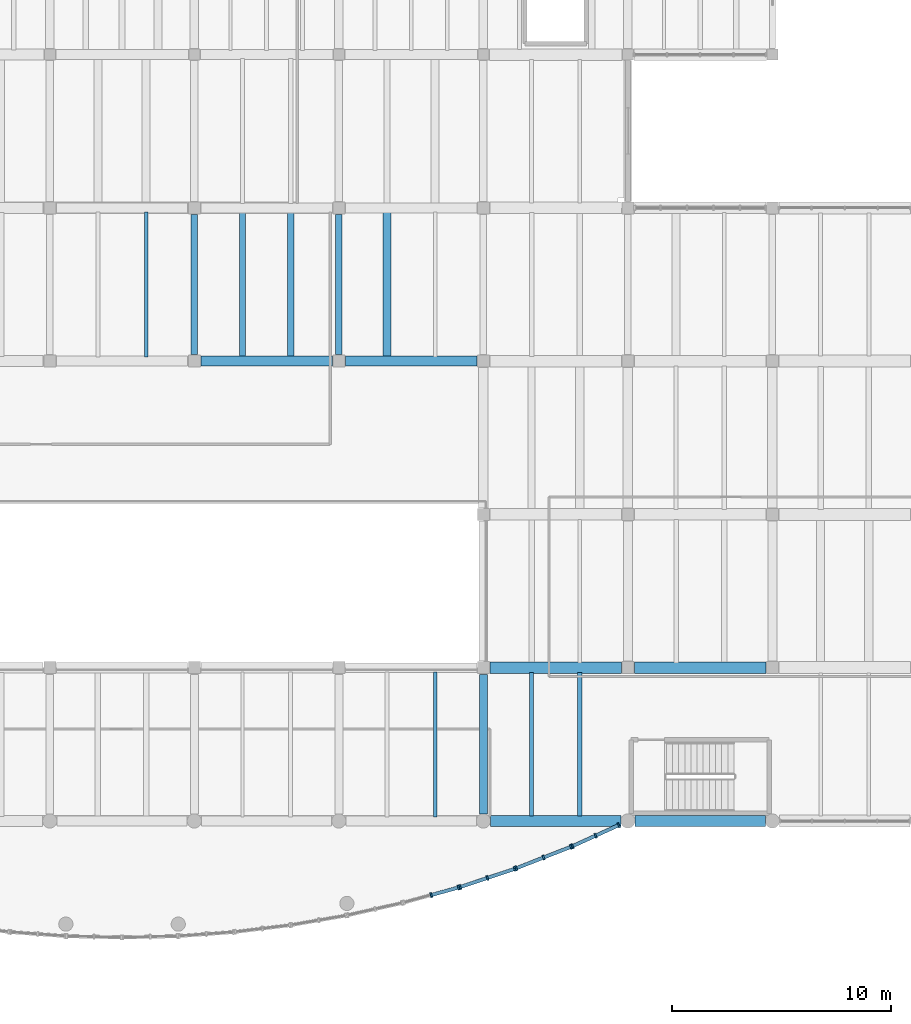
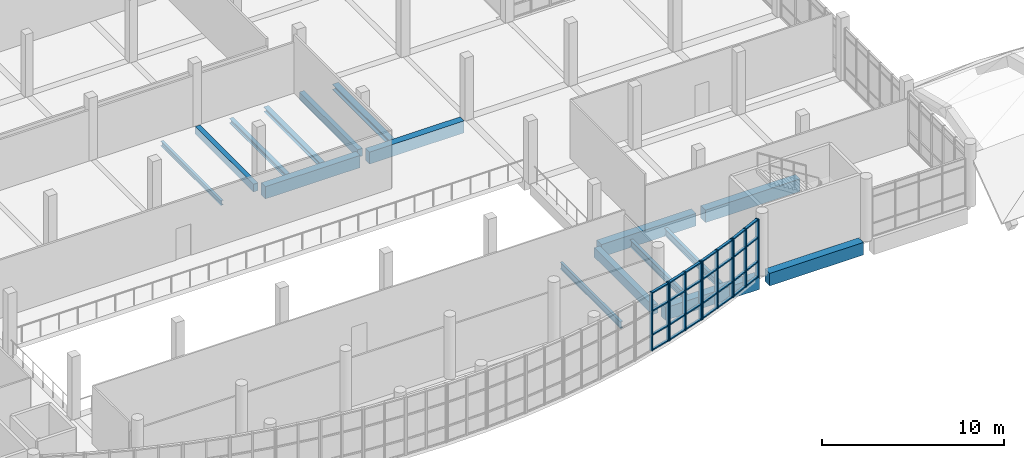
# One storey, part 12 of 65: 39 members, 16 beams, 4 elements without a shape of their own.
"""IFC4 building model written with IfcOpenShell, lengths in metres."""

import ifcopenshell
import ifcopenshell.guid

model = None  # the IFC model being written
_history = None  # IfcOwnerHistory: only IFC2X3 demands one
_inside = {}  # id of a spatial element -> (the spatial element, [elements in it])
_under = {}  # id of a project, library or spatial element -> (it, [spatial elements below it])
_declared = {}  # id of a project -> (the project, [libraries it declares])
_typed = {}  # id of a type object -> (the type object, [elements of that type])
_made_of = {}  # id of a material, layer set ... -> (it, [elements and type objects made of it])


def new_model(schema):
    """Start an empty IFC model of exactly this schema.

    Asked for "IFC4X3", IfcOpenShell would pick the latest addendum, in which some entities
    have other attributes; the version numbers below select the first issue.
    IFC2X3 requires an IfcOwnerHistory on every rooted entity: one is made here for all.
    """
    global model, _history
    if schema == "IFC4X3":
        model = ifcopenshell.file(schema_version=(4, 3, 0, 0))
    else:
        model = ifcopenshell.file(schema=schema)
    _inside.clear()
    _under.clear()
    _declared.clear()
    _typed.clear()
    _made_of.clear()
    _history = None
    if model.schema == "IFC2X3":
        org = make("IfcOrganization", Name="unknown")
        user = make(
            "IfcPersonAndOrganization",
            ThePerson=make("IfcPerson", FamilyName="unknown"),
            TheOrganization=org,
        )
        app = make(
            "IfcApplication",
            ApplicationDeveloper=org,
            Version="unknown",
            ApplicationFullName="unknown",
            ApplicationIdentifier="unknown",
        )
        _history = make(
            "IfcOwnerHistory",
            OwningUser=user,
            OwningApplication=app,
            ChangeAction="ADDED",
            CreationDate=0,
        )
    return model


def make(cls, **values):
    """One entity of the class cls with the attributes given. An attribute that is None is left unset."""
    return model.create_entity(
        cls, **{name: value for name, value in values.items() if value is not None}
    )


def rooted(cls, **values):
    """An entity with a GlobalId (a new one), such as an element, a storey or a relation."""
    return make(cls, GlobalId=ifcopenshell.guid.new(), OwnerHistory=_history, **values)


def si_unit(unit_type, name, prefix=None):
    """IfcSIUnit, for example si_unit("LENGTHUNIT", "METRE", prefix="MILLI")."""
    return make("IfcSIUnit", UnitType=unit_type, Prefix=prefix, Name=name)


def assignment(units):
    """IfcUnitAssignment: the units of a project."""
    return None if units is None else make("IfcUnitAssignment", Units=units)


def point(xyz):
    """IfcCartesianPoint."""
    return None if xyz is None else make("IfcCartesianPoint", Coordinates=xyz)


def direction(xyz):
    """IfcDirection."""
    return None if xyz is None else make("IfcDirection", DirectionRatios=xyz)


def frame(location, z_axis=None, x_axis=None):
    """IfcAxis2Placement3D, a coordinate frame: its origin and axes. An axis left out is left unset."""
    return make(
        "IfcAxis2Placement3D",
        Location=point(location),
        Axis=direction(z_axis),
        RefDirection=direction(x_axis),
    )


def frame_2d(location, x_axis=None):
    """IfcAxis2Placement2D, a coordinate frame in the plane: its origin and x axis."""
    return make(
        "IfcAxis2Placement2D", Location=point(location), RefDirection=direction(x_axis)
    )


def origin():
    """The frame at (0, 0, 0) with its axes left unset."""
    return frame((0.0, 0.0, 0.0))


def origin_2d():
    """The frame at (0, 0) in the plane with its x axis left unset."""
    return frame_2d((0.0, 0.0))


def place(relative_to, where):
    """IfcLocalPlacement: puts the frame where relative to a parent placement (None: the world)."""
    return make(
        "IfcLocalPlacement", PlacementRelTo=relative_to, RelativePlacement=where
    )


def context(
    kind, dimensions, precision=None, world=None, true_north=None, identifier=None
):
    """IfcGeometricRepresentationContext, for example the 3D "Model" context."""
    return make(
        "IfcGeometricRepresentationContext",
        ContextIdentifier=identifier,
        ContextType=kind,
        CoordinateSpaceDimension=dimensions,
        Precision=precision,
        WorldCoordinateSystem=world,
        TrueNorth=true_north,
    )


def subcontext(parent, identifier, kind, view, scale=None):
    """IfcGeometricRepresentationSubContext, for example "Body" below "Model"."""
    return make(
        "IfcGeometricRepresentationSubContext",
        ContextIdentifier=identifier,
        ContextType=kind,
        ParentContext=parent,
        TargetScale=scale,
        TargetView=view,
    )


def project(units=None, contexts=None):
    """IfcProject with its units and contexts."""
    return rooted(
        "IfcProject",
        Name="project",
        RepresentationContexts=contexts,
        UnitsInContext=assignment(units),
    )


def spatial(cls, under=None, at=None, **own):
    """A site, building, storey or space (cls), placed at a placement, below another one or the project."""
    s = rooted(cls, ObjectPlacement=at, **own)
    if under is not None:
        _under.setdefault(under.id(), (under, []))[1].append(s)
    return s


def profile(cls, at=None, kind="AREA", **sizes):
    """A parametric profile (cls). Its sizes go by their IFC names, for example OverallWidth=200.0."""
    return make(cls, ProfileType=kind, Position=at, **sizes)


def rectangle(**sizes):
    """IfcRectangleProfileDef."""
    return profile("IfcRectangleProfileDef", **sizes)


def i_section(**sizes):
    """IfcIShapeProfileDef."""
    return profile("IfcIShapeProfileDef", **sizes)


def extrude(swept, where, along, depth):
    """IfcExtrudedAreaSolid: the profile swept, set in the frame where, extruded along a direction by depth."""
    return make(
        "IfcExtrudedAreaSolid",
        SweptArea=swept,
        Position=where,
        ExtrudedDirection=direction(along),
        Depth=depth,
    )


def shape(context_of_items, identifier, shape_type, items):
    """IfcShapeRepresentation: the items that make up one representation, for example the "Body"."""
    return make(
        "IfcShapeRepresentation",
        ContextOfItems=context_of_items,
        RepresentationIdentifier=identifier,
        RepresentationType=shape_type,
        Items=items,
    )


def material(Name=None, Category=None):
    """IfcMaterial."""
    return make("IfcMaterial", Name=Name, Category=Category)


def material_profile(
    of_material, cross_section, Name=None, Category=None, Priority=None
):
    """IfcMaterialProfile: a cross section and its material."""
    return make(
        "IfcMaterialProfile",
        Name=Name,
        Material=of_material,
        Profile=cross_section,
        Priority=Priority,
        Category=Category,
    )


def profile_set(profiles, Name=None, composite=None):
    """IfcMaterialProfileSet."""
    return make(
        "IfcMaterialProfileSet",
        Name=Name,
        MaterialProfiles=profiles,
        CompositeProfile=composite,
    )


def made_of(thing, what):
    """Note that an element or type object is made of a material, layer set ...; save() writes the relation."""
    if what is not None:
        _made_of.setdefault(what.id(), (what, []))[1].append(thing)
    return thing


def type_object(cls, material=None, **own):
    """A type object (cls), such as IfcWallType, which elements share."""
    return made_of(rooted(cls, **own), material)


def element(
    cls,
    number,
    at=None,
    inside=None,
    cuts=None,
    type_object=None,
    material=None,
    context=None,
    identifier="Body",
    shape_type=None,
    held_by="IfcProductDefinitionShape",
    body=None,
    shapes=None,
    **own,
):
    """One element of the class cls, such as IfcWall. Its Tag is "e" and its number.

    at: its placement. inside: the storey or other place that contains it. cuts: it is an
    opening in that element (IfcRelVoidsElement). A single representation is given by context,
    identifier, shape_type and body (its items); several are given by shapes. held_by: the class
    of the entity that holds the representations. save() writes the other relations.
    """
    e = rooted(cls, Tag="e%d" % number, ObjectPlacement=at, **own)
    if body is not None:
        shapes = [shape(context, identifier, shape_type, body)]
    if shapes is not None:
        e.Representation = make(held_by, Representations=shapes)
    if inside is not None:
        _inside.setdefault(inside.id(), (inside, []))[1].append(e)
    if cuts is not None:
        rooted(
            "IfcRelVoidsElement", RelatingBuildingElement=cuts, RelatedOpeningElement=e
        )
    if type_object is not None:
        _typed.setdefault(type_object.id(), (type_object, []))[1].append(e)
    return made_of(e, material)


def aggregate(whole, parts):
    """IfcRelAggregates: a whole, such as a stair, and the parts it consists of."""
    return rooted("IfcRelAggregates", RelatingObject=whole, RelatedObjects=parts)


def save(model, path):
    """Write the relations noted so far, then the file.

    IfcRelAggregates (storeys below a building ...), IfcRelContainedInSpatialStructure (elements
    in a storey), IfcRelDefinesByType, IfcRelAssociatesMaterial and IfcRelDeclares: one each for
    every whole, place, type object, material and project.
    """
    for whole, parts in _under.values():
        aggregate(whole, parts)
    for where, things in _inside.values():
        rooted(
            "IfcRelContainedInSpatialStructure",
            RelatedElements=things,
            RelatingStructure=where,
        )
    for kind, things in _typed.values():
        rooted("IfcRelDefinesByType", RelatedObjects=things, RelatingType=kind)
    for what, things in _made_of.values():
        rooted("IfcRelAssociatesMaterial", RelatedObjects=things, RelatingMaterial=what)
    for by, libraries in _declared.values():
        rooted("IfcRelDeclares", RelatingContext=by, RelatedDefinitions=libraries)
    model.write(path)


model = new_model("IFC4")

# Units and contexts
model_context = context("Model", 3, precision=1e-05, world=origin(), true_north=direction((0.0, 1.0)))
body_context = subcontext(model_context, "Body", "Model", "MODEL_VIEW")
ifc_project = project(units=[si_unit("LENGTHUNIT", "METRE"), si_unit("AREAUNIT", "SQUARE_METRE"), si_unit("VOLUMEUNIT", "CUBIC_METRE"), si_unit("PLANEANGLEUNIT", "RADIAN"), si_unit("MASSUNIT", "GRAM", prefix="KILO")], contexts=[model_context])

# Site, building, storey
site_placement = place(None, origin())
site = spatial("IfcSite", under=ifc_project, at=site_placement, CompositionType="ELEMENT")
building_placement = place(site_placement, origin())
building = spatial("IfcBuilding", under=site, at=building_placement, Name="Ciguamira Faculty of Natural Sciences", CompositionType="ELEMENT")
storey_placement = place(building_placement, frame((0.0, 0.0, 12.60009765625)))
storey = spatial("IfcBuildingStorey", under=building, at=storey_placement, Name="L03", CompositionType="ELEMENT", Elevation=12.60009765625)

# Curtain wall, members
ifc_material_1 = material(Name="Anodized aluminium curtain wall", Category="aluminium")
curtain_wall_type_1 = type_object("IfcCurtainWallType", Name="CurtainWall_CW-02", PredefinedType="USERDEFINED", material=ifc_material_1)
curtain_wall_1_placement = place(storey_placement, origin())
curtain_wall_1 = element("IfcCurtainWall", 1, at=curtain_wall_1_placement, inside=storey, type_object=curtain_wall_type_1, Name="L03 south gallery curved curtain wall 15", ObjectType="UNITISED CURTAIN WALL", PredefinedType="USERDEFINED")
ifc_material_2 = material(Name="Anodized aluminium mullion", Category="aluminium")
ifc_material_profile_1 = material_profile(ifc_material_2, rectangle(XDim=0.080078125, YDim=0.219970703125, at=origin_2d()), Name="ALU-MUL-80X220")
ifc_profile_set_1 = profile_set([ifc_material_profile_1], Name="Anodized aluminium mullion")
member_type_1 = type_object("IfcMemberType", Name="CWMullion_CWM-03", PredefinedType="MULLION", material=ifc_profile_set_1)
member_1_placement = place(storey_placement, frame((101.11669921875, 6.618408203125, 0.0), z_axis=(0.0, 0.0, 1.0), x_axis=(0.963573286652, 0.267444426472, 0.0)))
member_1 = element("IfcMember", 2, at=member_1_placement, type_object=member_type_1, Name="CW-02 mullion 2", PredefinedType="MULLION", context=body_context, shape_type="SweptSolid", body=[
    extrude(rectangle(XDim=0.080078125, YDim=0.219970703125, at=origin_2d()), origin(), (0.0, 0.0, 1.0), 3.89990234375),
])
member_2_placement = place(storey_placement, frame((102.361572265625, 6.9638671875, 0.0), z_axis=(0.0, 0.0, 1.0), x_axis=(0.963573286652, 0.267444426472, 0.0)))
member_2 = element("IfcMember", 3, at=member_2_placement, type_object=member_type_1, Name="CW-02 mullion 3", PredefinedType="MULLION", context=body_context, shape_type="SweptSolid", body=[
    extrude(rectangle(XDim=0.080078125, YDim=0.219970703125, at=origin_2d()), origin(), (0.0, 0.0, 1.0), 3.89990234375),
])

curtain_wall_type_2 = type_object("IfcCurtainWallType", Name="CurtainWall_CW-03", PredefinedType="USERDEFINED", material=ifc_material_1)
curtain_wall_2_placement = place(storey_placement, origin())
curtain_wall_2 = element("IfcCurtainWall", 4, at=curtain_wall_2_placement, inside=storey, type_object=curtain_wall_type_2, Name="L03 south gallery curved curtain wall 16", ObjectType="UNITISED CURTAIN WALL", PredefinedType="USERDEFINED")
member_3_placement = place(storey_placement, frame((102.43798828125, 6.987060546875, 0.0), z_axis=(0.0, 0.0, 1.0), x_axis=(0.948735033862, 0.316072516242, 0.0)))
member_3 = element("IfcMember", 5, at=member_3_placement, type_object=member_type_1, Name="CW-03 mullion 1", PredefinedType="MULLION", context=body_context, shape_type="SweptSolid", body=[
    extrude(rectangle(XDim=0.080078125, YDim=0.219970703125, at=origin_2d()), origin(), (0.0, 0.0, 1.0), 3.89990234375),
])
member_4_placement = place(storey_placement, frame((103.683349609375, 7.402099609375, 0.0), z_axis=(0.0, 0.0, 1.0), x_axis=(0.948735033862, 0.316072516242, 0.0)))
member_4 = element("IfcMember", 6, at=member_4_placement, type_object=member_type_1, Name="CW-03 mullion 2", PredefinedType="MULLION", context=body_context, shape_type="SweptSolid", body=[
    extrude(rectangle(XDim=0.080078125, YDim=0.219970703125, at=origin_2d()), origin(), (0.0, 0.0, 1.0), 3.89990234375),
])
member_5_placement = place(storey_placement, frame((104.9287109375, 7.81689453125, 0.0), z_axis=(0.0, 0.0, 1.0), x_axis=(0.948735033862, 0.316072516242, 0.0)))
member_5 = element("IfcMember", 7, at=member_5_placement, type_object=member_type_1, Name="CW-03 mullion 3", PredefinedType="MULLION", context=body_context, shape_type="SweptSolid", body=[
    extrude(rectangle(XDim=0.080078125, YDim=0.219970703125, at=origin_2d()), origin(), (0.0, 0.0, 1.0), 3.89990234375),
])

curtain_wall_type_3 = type_object("IfcCurtainWallType", Name="CurtainWall_CW-04", PredefinedType="USERDEFINED", material=ifc_material_1)
curtain_wall_3_placement = place(storey_placement, origin())
curtain_wall_3 = element("IfcCurtainWall", 8, at=curtain_wall_3_placement, inside=storey, type_object=curtain_wall_type_3, Name="L03 south gallery curved curtain wall 17", ObjectType="UNITISED CURTAIN WALL", PredefinedType="USERDEFINED")
member_6_placement = place(storey_placement, frame((105.00390625, 7.84423828125, 0.0), z_axis=(0.0, 0.0, 1.0), x_axis=(0.931122296337, 0.36470710065, 0.0)))
member_6 = element("IfcMember", 9, at=member_6_placement, type_object=member_type_1, Name="CW-04 mullion 1", PredefinedType="MULLION", context=body_context, shape_type="SweptSolid", body=[
    extrude(rectangle(XDim=0.080078125, YDim=0.219970703125, at=origin_2d()), origin(), (0.0, 0.0, 1.0), 3.89990234375),
])
member_7_placement = place(storey_placement, frame((106.25, 8.332275390625, 0.0), z_axis=(0.0, 0.0, 1.0), x_axis=(0.931122296337, 0.36470710065, 0.0)))
member_7 = element("IfcMember", 10, at=member_7_placement, type_object=member_type_1, Name="CW-04 mullion 2", PredefinedType="MULLION", context=body_context, shape_type="SweptSolid", body=[
    extrude(rectangle(XDim=0.080078125, YDim=0.219970703125, at=origin_2d()), origin(), (0.0, 0.0, 1.0), 3.89990234375),
])
member_8_placement = place(storey_placement, frame((107.49609375, 8.8203125, 0.0), z_axis=(0.0, 0.0, 1.0), x_axis=(0.931122296337, 0.36470710065, 0.0)))
member_8 = element("IfcMember", 11, at=member_8_placement, type_object=member_type_1, Name="CW-04 mullion 3", PredefinedType="MULLION", context=body_context, shape_type="SweptSolid", body=[
    extrude(rectangle(XDim=0.080078125, YDim=0.219970703125, at=origin_2d()), origin(), (0.0, 0.0, 1.0), 3.89990234375),
])

curtain_wall_type_4 = type_object("IfcCurtainWallType", Name="CurtainWall_CW-05", PredefinedType="USERDEFINED", material=ifc_material_1)
curtain_wall_4_placement = place(storey_placement, origin())
curtain_wall_4 = element("IfcCurtainWall", 12, at=curtain_wall_4_placement, inside=storey, type_object=curtain_wall_type_4, Name="L03 south gallery curved curtain wall 18", ObjectType="UNITISED CURTAIN WALL", PredefinedType="USERDEFINED")
member_9_placement = place(storey_placement, frame((107.56982421875, 8.851318359375, 0.0), z_axis=(0.0, 0.0, 1.0), x_axis=(0.910580503774, 0.41333176281, 0.0)))
member_9 = element("IfcMember", 13, at=member_9_placement, type_object=member_type_1, Name="CW-05 mullion 1", PredefinedType="MULLION", context=body_context, shape_type="SweptSolid", body=[
    extrude(rectangle(XDim=0.080078125, YDim=0.219970703125, at=origin_2d()), origin(), (0.0, 0.0, 1.0), 3.89990234375),
])
member_10_placement = place(storey_placement, frame((108.62548828125, 9.33056640625, 0.0), z_axis=(0.0, 0.0, 1.0), x_axis=(0.910580503774, 0.41333176281, 0.0)))
member_10 = element("IfcMember", 14, at=member_10_placement, type_object=member_type_1, Name="CW-05 mullion 2", PredefinedType="MULLION", context=body_context, shape_type="SweptSolid", body=[
    extrude(rectangle(XDim=0.080078125, YDim=0.219970703125, at=origin_2d()), origin(), (0.0, 0.0, 1.0), 3.89990234375),
])
member_11_placement = place(storey_placement, frame((109.68115234375, 9.809814453125, 0.0), z_axis=(0.0, 0.0, 1.0), x_axis=(0.910580503774, 0.41333176281, 0.0)))
member_11 = element("IfcMember", 15, at=member_11_placement, type_object=member_type_1, Name="CW-05 mullion 3", PredefinedType="MULLION", context=body_context, shape_type="SweptSolid", body=[
    extrude(rectangle(XDim=0.080078125, YDim=0.219970703125, at=origin_2d()), origin(), (0.0, 0.0, 1.0), 3.89990234375),
])

# Member
ifc_material_3 = material(Name="Anodized aluminium transom", Category="aluminium")
ifc_material_profile_2 = material_profile(ifc_material_3, rectangle(XDim=0.080078125, YDim=0.159912109375, at=origin_2d()), Name="ALU-TRN-80X160")
ifc_profile_set_2 = profile_set([ifc_material_profile_2], Name="Anodized aluminium transom")
member_type_2 = type_object("IfcMemberType", Name="CWTransom_CWT-03", PredefinedType="USERDEFINED", material=ifc_profile_set_2)
member_12_placement = place(storey_placement, frame((101.1552734375, 6.62890625, 0.039794921875), z_axis=(0.963549650457, 0.267529570522, 0.0), x_axis=(0.0, 0.0, 1.0)))
member_12 = element("IfcMember", 16, at=member_12_placement, type_object=member_type_2, Name="CW-02 transom 2.1", ObjectType="TRANSOM", PredefinedType="USERDEFINED", context=body_context, shape_type="SweptSolid", body=[
    extrude(rectangle(XDim=0.080078125, YDim=0.159912109375, at=origin_2d()), origin(), (0.0, 0.0, 1.0), 1.2119140625),
])

member_13_placement = place(storey_placement, frame((101.1552734375, 6.62890625, 1.0498046875), z_axis=(0.963549650457, 0.267529570522, 0.0), x_axis=(0.0, 0.0, 1.0)))
member_13 = element("IfcMember", 17, at=member_13_placement, type_object=member_type_2, Name="CW-02 transom 2.2", ObjectType="TRANSOM", PredefinedType="USERDEFINED", context=body_context, shape_type="SweptSolid", body=[
    extrude(rectangle(XDim=0.080078125, YDim=0.159912109375, at=origin_2d()), origin(), (0.0, 0.0, 1.0), 1.2119140625),
])

member_14_placement = place(storey_placement, frame((101.1552734375, 6.62890625, 2.64990234375), z_axis=(0.963549650457, 0.267529570522, 0.0), x_axis=(0.0, 0.0, 1.0)))
member_14 = element("IfcMember", 18, at=member_14_placement, type_object=member_type_2, Name="CW-02 transom 2.3", ObjectType="TRANSOM", PredefinedType="USERDEFINED", context=body_context, shape_type="SweptSolid", body=[
    extrude(rectangle(XDim=0.080078125, YDim=0.159912109375, at=origin_2d()), origin(), (0.0, 0.0, 1.0), 1.2119140625),
])

member_15_placement = place(storey_placement, frame((101.1552734375, 6.62890625, 3.85986328125), z_axis=(0.963549650457, 0.267529570522, 0.0), x_axis=(0.0, 0.0, 1.0)))
member_15 = element("IfcMember", 19, at=member_15_placement, type_object=member_type_2, Name="CW-02 transom 2.4", ObjectType="TRANSOM", PredefinedType="USERDEFINED", context=body_context, shape_type="SweptSolid", body=[
    extrude(rectangle(XDim=0.080078125, YDim=0.159912109375, at=origin_2d()), origin(), (0.0, 0.0, 1.0), 1.2119140625),
])

aggregate(curtain_wall_1, [member_1, member_2, member_12, member_13, member_14, member_15])

member_16_placement = place(storey_placement, frame((102.475830078125, 6.999755859375, 0.039794921875), z_axis=(0.948742689117, 0.316049537013, 0.0), x_axis=(0.0, 0.0, 1.0)))
member_16 = element("IfcMember", 20, at=member_16_placement, type_object=member_type_2, Name="CW-03 transom 1.1", ObjectType="TRANSOM", PredefinedType="USERDEFINED", context=body_context, shape_type="SweptSolid", body=[
    extrude(rectangle(XDim=0.080078125, YDim=0.159912109375, at=origin_2d()), origin(), (0.0, 0.0, 1.0), 1.23291015625),
])

member_17_placement = place(storey_placement, frame((102.475830078125, 6.999755859375, 1.0498046875), z_axis=(0.948742689117, 0.316049537013, 0.0), x_axis=(0.0, 0.0, 1.0)))
member_17 = element("IfcMember", 21, at=member_17_placement, type_object=member_type_2, Name="CW-03 transom 1.2", ObjectType="TRANSOM", PredefinedType="USERDEFINED", context=body_context, shape_type="SweptSolid", body=[
    extrude(rectangle(XDim=0.080078125, YDim=0.159912109375, at=origin_2d()), origin(), (0.0, 0.0, 1.0), 1.23291015625),
])

member_18_placement = place(storey_placement, frame((102.475830078125, 6.999755859375, 2.64990234375), z_axis=(0.948742689117, 0.316049537013, 0.0), x_axis=(0.0, 0.0, 1.0)))
member_18 = element("IfcMember", 22, at=member_18_placement, type_object=member_type_2, Name="CW-03 transom 1.3", ObjectType="TRANSOM", PredefinedType="USERDEFINED", context=body_context, shape_type="SweptSolid", body=[
    extrude(rectangle(XDim=0.080078125, YDim=0.159912109375, at=origin_2d()), origin(), (0.0, 0.0, 1.0), 1.23291015625),
])

member_19_placement = place(storey_placement, frame((102.475830078125, 6.999755859375, 3.85986328125), z_axis=(0.948742689117, 0.316049537013, 0.0), x_axis=(0.0, 0.0, 1.0)))
member_19 = element("IfcMember", 23, at=member_19_placement, type_object=member_type_2, Name="CW-03 transom 1.4", ObjectType="TRANSOM", PredefinedType="USERDEFINED", context=body_context, shape_type="SweptSolid", body=[
    extrude(rectangle(XDim=0.080078125, YDim=0.159912109375, at=origin_2d()), origin(), (0.0, 0.0, 1.0), 1.23291015625),
])

member_20_placement = place(storey_placement, frame((103.72119140625, 7.414794921875, 0.039794921875), z_axis=(0.948802054129, 0.315871274543, 0.0), x_axis=(0.0, 0.0, 1.0)))
member_20 = element("IfcMember", 24, at=member_20_placement, type_object=member_type_2, Name="CW-03 transom 2.1", ObjectType="TRANSOM", PredefinedType="USERDEFINED", context=body_context, shape_type="SweptSolid", body=[
    extrude(rectangle(XDim=0.080078125, YDim=0.159912109375, at=origin_2d()), origin(), (0.0, 0.0, 1.0), 1.23291015625),
])

member_21_placement = place(storey_placement, frame((103.72119140625, 7.414794921875, 1.0498046875), z_axis=(0.948802054129, 0.315871274543, 0.0), x_axis=(0.0, 0.0, 1.0)))
member_21 = element("IfcMember", 25, at=member_21_placement, type_object=member_type_2, Name="CW-03 transom 2.2", ObjectType="TRANSOM", PredefinedType="USERDEFINED", context=body_context, shape_type="SweptSolid", body=[
    extrude(rectangle(XDim=0.080078125, YDim=0.159912109375, at=origin_2d()), origin(), (0.0, 0.0, 1.0), 1.23291015625),
])

member_22_placement = place(storey_placement, frame((103.72119140625, 7.414794921875, 2.64990234375), z_axis=(0.948802054129, 0.315871274543, 0.0), x_axis=(0.0, 0.0, 1.0)))
member_22 = element("IfcMember", 26, at=member_22_placement, type_object=member_type_2, Name="CW-03 transom 2.3", ObjectType="TRANSOM", PredefinedType="USERDEFINED", context=body_context, shape_type="SweptSolid", body=[
    extrude(rectangle(XDim=0.080078125, YDim=0.159912109375, at=origin_2d()), origin(), (0.0, 0.0, 1.0), 1.23291015625),
])

member_23_placement = place(storey_placement, frame((103.72119140625, 7.414794921875, 3.85986328125), z_axis=(0.948802054129, 0.315871274543, 0.0), x_axis=(0.0, 0.0, 1.0)))
member_23 = element("IfcMember", 27, at=member_23_placement, type_object=member_type_2, Name="CW-03 transom 2.4", ObjectType="TRANSOM", PredefinedType="USERDEFINED", context=body_context, shape_type="SweptSolid", body=[
    extrude(rectangle(XDim=0.080078125, YDim=0.159912109375, at=origin_2d()), origin(), (0.0, 0.0, 1.0), 1.23291015625),
])

aggregate(curtain_wall_2, [member_3, member_4, member_5, member_16, member_17, member_18, member_19, member_20, member_21, member_22, member_23])

member_24_placement = place(storey_placement, frame((105.041259765625, 7.85888671875, 0.039794921875), z_axis=(0.931142528587, 0.364655442104, 0.0), x_axis=(0.0, 0.0, 1.0)))
member_24 = element("IfcMember", 28, at=member_24_placement, type_object=member_type_2, Name="CW-04 transom 1.1", ObjectType="TRANSOM", PredefinedType="USERDEFINED", context=body_context, shape_type="SweptSolid", body=[
    extrude(rectangle(XDim=0.080078125, YDim=0.159912109375, at=origin_2d()), origin(), (0.0, 0.0, 1.0), 1.258056640625),
])

member_25_placement = place(storey_placement, frame((105.041259765625, 7.85888671875, 1.0498046875), z_axis=(0.931142528587, 0.364655442104, 0.0), x_axis=(0.0, 0.0, 1.0)))
member_25 = element("IfcMember", 29, at=member_25_placement, type_object=member_type_2, Name="CW-04 transom 1.2", ObjectType="TRANSOM", PredefinedType="USERDEFINED", context=body_context, shape_type="SweptSolid", body=[
    extrude(rectangle(XDim=0.080078125, YDim=0.159912109375, at=origin_2d()), origin(), (0.0, 0.0, 1.0), 1.258056640625),
])

member_26_placement = place(storey_placement, frame((105.041259765625, 7.85888671875, 2.64990234375), z_axis=(0.931142528587, 0.364655442104, 0.0), x_axis=(0.0, 0.0, 1.0)))
member_26 = element("IfcMember", 30, at=member_26_placement, type_object=member_type_2, Name="CW-04 transom 1.3", ObjectType="TRANSOM", PredefinedType="USERDEFINED", context=body_context, shape_type="SweptSolid", body=[
    extrude(rectangle(XDim=0.080078125, YDim=0.159912109375, at=origin_2d()), origin(), (0.0, 0.0, 1.0), 1.258056640625),
])

member_27_placement = place(storey_placement, frame((105.041259765625, 7.85888671875, 3.85986328125), z_axis=(0.931142528587, 0.364655442104, 0.0), x_axis=(0.0, 0.0, 1.0)))
member_27 = element("IfcMember", 31, at=member_27_placement, type_object=member_type_2, Name="CW-04 transom 1.4", ObjectType="TRANSOM", PredefinedType="USERDEFINED", context=body_context, shape_type="SweptSolid", body=[
    extrude(rectangle(XDim=0.080078125, YDim=0.159912109375, at=origin_2d()), origin(), (0.0, 0.0, 1.0), 1.258056640625),
])

member_28_placement = place(storey_placement, frame((106.287353515625, 8.346923828125, 0.039794921875), z_axis=(0.931142528587, 0.364655442104, 0.0), x_axis=(0.0, 0.0, 1.0)))
member_28 = element("IfcMember", 32, at=member_28_placement, type_object=member_type_2, Name="CW-04 transom 2.1", ObjectType="TRANSOM", PredefinedType="USERDEFINED", context=body_context, shape_type="SweptSolid", body=[
    extrude(rectangle(XDim=0.080078125, YDim=0.159912109375, at=origin_2d()), origin(), (0.0, 0.0, 1.0), 1.258056640625),
])

member_29_placement = place(storey_placement, frame((106.287353515625, 8.346923828125, 1.0498046875), z_axis=(0.931142528587, 0.364655442104, 0.0), x_axis=(0.0, 0.0, 1.0)))
member_29 = element("IfcMember", 33, at=member_29_placement, type_object=member_type_2, Name="CW-04 transom 2.2", ObjectType="TRANSOM", PredefinedType="USERDEFINED", context=body_context, shape_type="SweptSolid", body=[
    extrude(rectangle(XDim=0.080078125, YDim=0.159912109375, at=origin_2d()), origin(), (0.0, 0.0, 1.0), 1.258056640625),
])

member_30_placement = place(storey_placement, frame((106.287353515625, 8.346923828125, 2.64990234375), z_axis=(0.931142528587, 0.364655442104, 0.0), x_axis=(0.0, 0.0, 1.0)))
member_30 = element("IfcMember", 34, at=member_30_placement, type_object=member_type_2, Name="CW-04 transom 2.3", ObjectType="TRANSOM", PredefinedType="USERDEFINED", context=body_context, shape_type="SweptSolid", body=[
    extrude(rectangle(XDim=0.080078125, YDim=0.159912109375, at=origin_2d()), origin(), (0.0, 0.0, 1.0), 1.258056640625),
])

member_31_placement = place(storey_placement, frame((106.287353515625, 8.346923828125, 3.85986328125), z_axis=(0.931142528587, 0.364655442104, 0.0), x_axis=(0.0, 0.0, 1.0)))
member_31 = element("IfcMember", 35, at=member_31_placement, type_object=member_type_2, Name="CW-04 transom 2.4", ObjectType="TRANSOM", PredefinedType="USERDEFINED", context=body_context, shape_type="SweptSolid", body=[
    extrude(rectangle(XDim=0.080078125, YDim=0.159912109375, at=origin_2d()), origin(), (0.0, 0.0, 1.0), 1.258056640625),
])

aggregate(curtain_wall_3, [member_6, member_7, member_8, member_24, member_25, member_26, member_27, member_28, member_29, member_30, member_31])

member_32_placement = place(storey_placement, frame((107.606201171875, 8.867919921875, 0.039794921875), z_axis=(0.910536797913, 0.413428034422, 0.0), x_axis=(0.0, 0.0, 1.0)))
member_32 = element("IfcMember", 36, at=member_32_placement, type_object=member_type_2, Name="CW-05 transom 1.1", ObjectType="TRANSOM", PredefinedType="USERDEFINED", context=body_context, shape_type="SweptSolid", body=[
    extrude(rectangle(XDim=0.080078125, YDim=0.159912109375, at=origin_2d()), origin(), (0.0, 0.0, 1.0), 1.07958984375),
])

member_33_placement = place(storey_placement, frame((107.606201171875, 8.867919921875, 1.0498046875), z_axis=(0.910536797913, 0.413428034422, 0.0), x_axis=(0.0, 0.0, 1.0)))
member_33 = element("IfcMember", 37, at=member_33_placement, type_object=member_type_2, Name="CW-05 transom 1.2", ObjectType="TRANSOM", PredefinedType="USERDEFINED", context=body_context, shape_type="SweptSolid", body=[
    extrude(rectangle(XDim=0.080078125, YDim=0.159912109375, at=origin_2d()), origin(), (0.0, 0.0, 1.0), 1.07958984375),
])

member_34_placement = place(storey_placement, frame((107.606201171875, 8.867919921875, 2.64990234375), z_axis=(0.910536797913, 0.413428034422, 0.0), x_axis=(0.0, 0.0, 1.0)))
member_34 = element("IfcMember", 38, at=member_34_placement, type_object=member_type_2, Name="CW-05 transom 1.3", ObjectType="TRANSOM", PredefinedType="USERDEFINED", context=body_context, shape_type="SweptSolid", body=[
    extrude(rectangle(XDim=0.080078125, YDim=0.159912109375, at=origin_2d()), origin(), (0.0, 0.0, 1.0), 1.07958984375),
])

member_35_placement = place(storey_placement, frame((107.606201171875, 8.867919921875, 3.85986328125), z_axis=(0.910536797913, 0.413428034422, 0.0), x_axis=(0.0, 0.0, 1.0)))
member_35 = element("IfcMember", 39, at=member_35_placement, type_object=member_type_2, Name="CW-05 transom 1.4", ObjectType="TRANSOM", PredefinedType="USERDEFINED", context=body_context, shape_type="SweptSolid", body=[
    extrude(rectangle(XDim=0.080078125, YDim=0.159912109375, at=origin_2d()), origin(), (0.0, 0.0, 1.0), 1.07958984375),
])

member_36_placement = place(storey_placement, frame((108.661865234375, 9.34716796875, 0.039794921875), z_axis=(0.910621924114, 0.413240500585, 0.0), x_axis=(0.0, 0.0, 1.0)))
member_36 = element("IfcMember", 40, at=member_36_placement, type_object=member_type_2, Name="CW-05 transom 2.1", ObjectType="TRANSOM", PredefinedType="USERDEFINED", context=body_context, shape_type="SweptSolid", body=[
    extrude(rectangle(XDim=0.080078125, YDim=0.159912109375, at=origin_2d()), origin(), (0.0, 0.0, 1.0), 1.079345703125),
])

member_37_placement = place(storey_placement, frame((108.661865234375, 9.34716796875, 1.0498046875), z_axis=(0.910621924114, 0.413240500585, 0.0), x_axis=(0.0, 0.0, 1.0)))
member_37 = element("IfcMember", 41, at=member_37_placement, type_object=member_type_2, Name="CW-05 transom 2.2", ObjectType="TRANSOM", PredefinedType="USERDEFINED", context=body_context, shape_type="SweptSolid", body=[
    extrude(rectangle(XDim=0.080078125, YDim=0.159912109375, at=origin_2d()), origin(), (0.0, 0.0, 1.0), 1.079345703125),
])

member_38_placement = place(storey_placement, frame((108.661865234375, 9.34716796875, 2.64990234375), z_axis=(0.910621924114, 0.413240500585, 0.0), x_axis=(0.0, 0.0, 1.0)))
member_38 = element("IfcMember", 42, at=member_38_placement, type_object=member_type_2, Name="CW-05 transom 2.3", ObjectType="TRANSOM", PredefinedType="USERDEFINED", context=body_context, shape_type="SweptSolid", body=[
    extrude(rectangle(XDim=0.080078125, YDim=0.159912109375, at=origin_2d()), origin(), (0.0, 0.0, 1.0), 1.079345703125),
])

member_39_placement = place(storey_placement, frame((108.661865234375, 9.34716796875, 3.85986328125), z_axis=(0.910621924114, 0.413240500585, 0.0), x_axis=(0.0, 0.0, 1.0)))
member_39 = element("IfcMember", 43, at=member_39_placement, type_object=member_type_2, Name="CW-05 transom 2.4", ObjectType="TRANSOM", PredefinedType="USERDEFINED", context=body_context, shape_type="SweptSolid", body=[
    extrude(rectangle(XDim=0.080078125, YDim=0.159912109375, at=origin_2d()), origin(), (0.0, 0.0, 1.0), 1.079345703125),
])

aggregate(curtain_wall_4, [member_9, member_10, member_11, member_32, member_33, member_34, member_35, member_36, member_37, member_38, member_39])

# Beams
ifc_material_4 = material(Name="Concrete C40/50", Category="concrete")
ifc_material_profile_3 = material_profile(ifc_material_4, rectangle(XDim=0.4599609375, YDim=0.820068359375, at=origin_2d()), Name="RC-BM-460X820")
ifc_profile_set_3 = profile_set([ifc_material_profile_3], Name="Concrete C40/50")
beam_type_1 = type_object("IfcBeamType", Name="RCBeam_BG-04_RC-BM-460X820", PredefinedType="BEAM", material=ifc_profile_set_3)
beam_1_placement = place(storey_placement, frame((90.60009765625, 31.0, -0.41015625), z_axis=(1.0, 0.0, 0.0), x_axis=(0.0, 1.0, 0.0)))
element("IfcBeam", 44, at=beam_1_placement, inside=storey, type_object=beam_type_1, Name="L03 RC girder EW-1075", PredefinedType="BEAM", context=body_context, shape_type="SweptSolid", body=[
    extrude(rectangle(XDim=0.4599609375, YDim=0.820068359375, at=origin_2d()), origin(), (0.0, 0.0, 1.0), 6.0),
])
ifc_material_profile_4 = material_profile(ifc_material_4, rectangle(XDim=0.449951171875, YDim=0.800048828125, at=origin_2d()), Name="RC-BM-450X800")
ifc_profile_set_4 = profile_set([ifc_material_profile_4], Name="Concrete C40/50")
beam_type_2 = type_object("IfcBeamType", Name="RCBeam_BG-05_RC-BM-450X800", PredefinedType="BEAM", material=ifc_profile_set_4)
beam_2_placement = place(storey_placement, frame((97.199951171875, 31.0, -0.400146484375), z_axis=(1.0, 0.0, 0.0), x_axis=(0.0, 1.0, 0.0)))
element("IfcBeam", 45, at=beam_2_placement, inside=storey, type_object=beam_type_2, Name="L03 RC girder EW-1076", PredefinedType="BEAM", context=body_context, shape_type="SweptSolid", body=[
    extrude(rectangle(XDim=0.449951171875, YDim=0.800048828125, at=origin_2d()), origin(), (0.0, 0.0, 1.0), 6.0),
])
ifc_material_profile_5 = material_profile(ifc_material_4, rectangle(XDim=0.360107421875, YDim=0.639892578125, at=origin_2d()), Name="RC-BM-360X640")
ifc_profile_set_5 = profile_set([ifc_material_profile_5], Name="Concrete C40/50")
beam_type_3 = type_object("IfcBeamType", Name="RCBeam_BG-10_RC-BM-360X640", PredefinedType="BEAM", material=ifc_profile_set_5)
beam_3_placement = place(storey_placement, frame((103.5, 10.324951171875, -0.320068359375), z_axis=(0.0, 1.0, 0.0), x_axis=(-1.0, 0.0, 0.0)))
element("IfcBeam", 46, at=beam_3_placement, inside=storey, type_object=beam_type_3, Name="L03 girder NS-1283", PredefinedType="BEAM", context=body_context, shape_type="SweptSolid", body=[
    extrude(rectangle(XDim=0.360107421875, YDim=0.639892578125, at=origin_2d()), origin(), (0.0, 0.0, 1.0), 6.375),
])
ifc_material_profile_6 = material_profile(ifc_material_4, rectangle(XDim=0.300048828125, YDim=0.52001953125, at=origin_2d()), Name="RC-BM-300X520")
ifc_profile_set_6 = profile_set([ifc_material_profile_6], Name="Concrete C40/50")
beam_type_4 = type_object("IfcBeamType", Name="RCBeam_BG-13_RC-BM-300X520", PredefinedType="BEAM", material=ifc_profile_set_6)
for number, where, z_axis, x_axis, name in (
    (47, (90.300048828125, 31.300048828125, -0.260009765625), (0.0, 1.0, 0.0), (-1.0, 0.0, 0.0), "L03 girder NS-1263"),
    (48, (96.89990234375, 31.300048828125, -0.260009765625), (0.0, 1.0, 0.0), (-1.0, 0.0, 0.0), "L03 girder NS-1274"),
):
    element("IfcBeam", number, at=place(storey_placement, frame(where, z_axis=z_axis, x_axis=x_axis)), inside=storey, type_object=beam_type_4, Name=name, PredefinedType="BEAM", context=body_context, shape_type="SweptSolid", body=[
        extrude(rectangle(XDim=0.300048828125, YDim=0.52001953125, at=origin_2d()), origin(), (0.0, 0.0, 1.0), 6.39990234375),
    ])
ifc_material_profile_7 = material_profile(ifc_material_4, rectangle(XDim=0.52001953125, YDim=0.840087890625, at=origin_2d()), Name="RC-TB-520X840")
ifc_profile_set_7 = profile_set([ifc_material_profile_7], Name="Concrete C40/50")
beam_type_5 = type_object("IfcBeamType", Name="RCBeam_TB-02_RC-TB-520X840", PredefinedType="T_BEAM", material=ifc_profile_set_7)
for number, where, z_axis, x_axis, name in (
    (49, (103.824951171875, 10.0, -0.420166015625), (1.0, 0.0, 0.0), (0.0, 1.0, 0.0), "L03 RC girder EW-1035"),
    (50, (110.425048828125, 10.0, -0.420166015625), (1.0, 0.0, 0.0), (0.0, 1.0, 0.0), "L03 RC girder EW-1036"),
):
    element("IfcBeam", number, at=place(storey_placement, frame(where, z_axis=z_axis, x_axis=x_axis)), inside=storey, type_object=beam_type_5, Name=name, PredefinedType="T_BEAM", context=body_context, shape_type="SweptSolid", body=[
        extrude(rectangle(XDim=0.52001953125, YDim=0.840087890625, at=origin_2d()), origin(), (0.0, 0.0, 1.0), 5.949951171875),
    ])
for number, where, z_axis, x_axis, name in (
    (51, (103.800048828125, 17.0, -0.420166015625), (1.0, 0.0, 0.0), (0.0, 1.0, 0.0), "L03 RC girder EW-1053"),
    (52, (110.39990234375, 17.0, -0.420166015625), (1.0, 0.0, 0.0), (0.0, 1.0, 0.0), "L03 RC girder EW-1054"),
):
    element("IfcBeam", number, at=place(storey_placement, frame(where, z_axis=z_axis, x_axis=x_axis)), inside=storey, type_object=beam_type_5, Name=name, PredefinedType="T_BEAM", context=body_context, shape_type="SweptSolid", body=[
        extrude(rectangle(XDim=0.52001953125, YDim=0.840087890625, at=origin_2d()), origin(), (0.0, 0.0, 1.0), 6.0),
    ])
ifc_material_5 = material(Name="Steel ASTM A992 Grade 50", Category="steel")
ifc_material_profile_8 = material_profile(ifc_material_5, i_section(OverallWidth=0.16650390625, OverallDepth=0.3173828125, WebThickness=0.007568359375, FlangeThickness=0.01318359375, at=origin_2d()), Name="W12X35")
ifc_profile_set_8 = profile_set([ifc_material_profile_8], Name="Steel ASTM A992 Grade 50")
beam_type_6 = type_object("IfcBeamType", Name="SteelJoist_SJ-05_W12X35", PredefinedType="JOIST", material=ifc_profile_set_8)
beam_4_placement = place(storey_placement, frame((88.10009765625, 31.18994140625, -0.458740234375), z_axis=(0.0, 1.0, 0.0), x_axis=(-1.0, 0.0, 0.0)))
element("IfcBeam", 53, at=beam_4_placement, inside=storey, type_object=beam_type_6, Name="L03 composite steel joist 01131", PredefinedType="JOIST", context=body_context, shape_type="SweptSolid", body=[
    extrude(i_section(OverallWidth=0.16650390625, OverallDepth=0.3173828125, WebThickness=0.007568359375, FlangeThickness=0.01318359375, at=origin_2d()), origin(), (0.0, 0.0, 1.0), 6.6201171875),
])
ifc_material_profile_9 = material_profile(ifc_material_5, i_section(OverallWidth=0.25390625, OverallDepth=0.307373046875, WebThickness=0.0087890625, FlangeThickness=0.0146484375, at=origin_2d()), Name="W12X53")
ifc_profile_set_9 = profile_set([ifc_material_profile_9], Name="Steel ASTM A992 Grade 50")
beam_type_7 = type_object("IfcBeamType", Name="SteelJoist_SJ-07_W12X53", PredefinedType="JOIST", material=ifc_profile_set_9)
beam_5_placement = place(storey_placement, frame((92.5, 31.18994140625, -0.453857421875), z_axis=(0.0, 1.0, 0.0), x_axis=(-1.0, 0.0, 0.0)))
element("IfcBeam", 54, at=beam_5_placement, inside=storey, type_object=beam_type_7, Name="L03 composite steel joist 01155", PredefinedType="JOIST", context=body_context, shape_type="SweptSolid", body=[
    extrude(i_section(OverallWidth=0.25390625, OverallDepth=0.307373046875, WebThickness=0.0087890625, FlangeThickness=0.0146484375, at=origin_2d()), origin(), (0.0, 0.0, 1.0), 6.6201171875),
])
ifc_material_profile_10 = material_profile(ifc_material_5, i_section(OverallWidth=0.3046875, OverallDepth=0.307373046875, WebThickness=0.010009765625, FlangeThickness=0.015380859375, at=origin_2d()), Name="W12X65")
ifc_profile_set_10 = profile_set([ifc_material_profile_10], Name="Steel ASTM A992 Grade 50")
beam_type_8 = type_object("IfcBeamType", Name="SteelJoist_SJ-08_W12X65", PredefinedType="JOIST", material=ifc_profile_set_10)
beam_6_placement = place(storey_placement, frame((94.699951171875, 31.18994140625, -0.453857421875), z_axis=(0.0, 1.0, 0.0), x_axis=(-1.0, 0.0, 0.0)))
element("IfcBeam", 55, at=beam_6_placement, inside=storey, type_object=beam_type_8, Name="L03 composite steel joist 01156", PredefinedType="JOIST", context=body_context, shape_type="SweptSolid", body=[
    extrude(i_section(OverallWidth=0.3046875, OverallDepth=0.307373046875, WebThickness=0.010009765625, FlangeThickness=0.015380859375, at=origin_2d()), origin(), (0.0, 0.0, 1.0), 6.6201171875),
])
ifc_material_profile_11 = material_profile(ifc_material_5, i_section(OverallWidth=0.373291015625, OverallDepth=0.373291015625, WebThickness=0.016357421875, FlangeThickness=0.026123046875, at=origin_2d()), Name="W14X132")
ifc_profile_set_11 = profile_set([ifc_material_profile_11], Name="Steel ASTM A992 Grade 50")
beam_type_9 = type_object("IfcBeamType", Name="SteelJoist_SJ-10_W14X132", PredefinedType="JOIST", material=ifc_profile_set_11)
beam_7_placement = place(storey_placement, frame((99.10009765625, 31.18505859375, -0.48681640625), z_axis=(0.0, 1.0, 0.0), x_axis=(-1.0, 0.0, 0.0)))
element("IfcBeam", 56, at=beam_7_placement, inside=storey, type_object=beam_type_9, Name="L03 composite steel joist 01181", PredefinedType="JOIST", context=body_context, shape_type="SweptSolid", body=[
    extrude(i_section(OverallWidth=0.373291015625, OverallDepth=0.373291015625, WebThickness=0.016357421875, FlangeThickness=0.026123046875, at=origin_2d()), origin(), (0.0, 0.0, 1.0), 6.6298828125),
])
ifc_material_profile_12 = material_profile(ifc_material_5, i_section(OverallWidth=0.15234375, OverallDepth=0.449462890625, WebThickness=0.007568359375, FlangeThickness=0.0107421875, at=origin_2d()), Name="W18X35")
ifc_profile_set_12 = profile_set([ifc_material_profile_12], Name="Steel ASTM A992 Grade 50")
beam_type_10 = type_object("IfcBeamType", Name="SteelJoist_SJ-21_W18X35", PredefinedType="JOIST", material=ifc_profile_set_12)
beam_8_placement = place(storey_placement, frame((101.300048828125, 10.18505859375, -0.52490234375), z_axis=(0.0, 1.0, 0.0), x_axis=(-1.0, 0.0, 0.0)))
element("IfcBeam", 57, at=beam_8_placement, inside=storey, type_object=beam_type_10, Name="L03 composite steel joist 01180", PredefinedType="JOIST", context=body_context, shape_type="SweptSolid", body=[
    extrude(i_section(OverallWidth=0.15234375, OverallDepth=0.449462890625, WebThickness=0.007568359375, FlangeThickness=0.0107421875, at=origin_2d()), origin(), (0.0, 0.0, 1.0), 6.6298828125),
])
ifc_material_profile_13 = material_profile(ifc_material_5, i_section(OverallWidth=0.1904296875, OverallDepth=0.457275390625, WebThickness=0.009033203125, FlangeThickness=0.014404296875, at=origin_2d()), Name="W18X50")
ifc_profile_set_13 = profile_set([ifc_material_profile_13], Name="Steel ASTM A992 Grade 50")
beam_type_11 = type_object("IfcBeamType", Name="SteelJoist_SJ-23_W18X50", PredefinedType="JOIST", material=ifc_profile_set_13)
beam_9_placement = place(storey_placement, frame((105.699951171875, 10.219970703125, -0.52880859375), z_axis=(0.0, 1.0, 0.0), x_axis=(-1.0, 0.0, 0.0)))
element("IfcBeam", 58, at=beam_9_placement, inside=storey, type_object=beam_type_11, Name="L03 composite steel joist 01204", PredefinedType="JOIST", context=body_context, shape_type="SweptSolid", body=[
    extrude(i_section(OverallWidth=0.1904296875, OverallDepth=0.457275390625, WebThickness=0.009033203125, FlangeThickness=0.014404296875, at=origin_2d()), origin(), (0.0, 0.0, 1.0), 6.56005859375),
])
ifc_material_profile_14 = material_profile(ifc_material_5, i_section(OverallWidth=0.19287109375, OverallDepth=0.46728515625, WebThickness=0.011474609375, FlangeThickness=0.01904296875, at=origin_2d()), Name="W18X65")
ifc_profile_set_14 = profile_set([ifc_material_profile_14], Name="Steel ASTM A992 Grade 50")
beam_type_12 = type_object("IfcBeamType", Name="SteelJoist_SJ-24_W18X65", PredefinedType="JOIST", material=ifc_profile_set_14)
beam_10_placement = place(storey_placement, frame((107.89990234375, 10.219970703125, -0.53369140625), z_axis=(0.0, 1.0, 0.0), x_axis=(-1.0, 0.0, 0.0)))
element("IfcBeam", 59, at=beam_10_placement, inside=storey, type_object=beam_type_12, Name="L03 composite steel joist 01205", PredefinedType="JOIST", context=body_context, shape_type="SweptSolid", body=[
    extrude(i_section(OverallWidth=0.19287109375, OverallDepth=0.46728515625, WebThickness=0.011474609375, FlangeThickness=0.01904296875, at=origin_2d()), origin(), (0.0, 0.0, 1.0), 6.56005859375),
])

save(model, "model.ifc")
